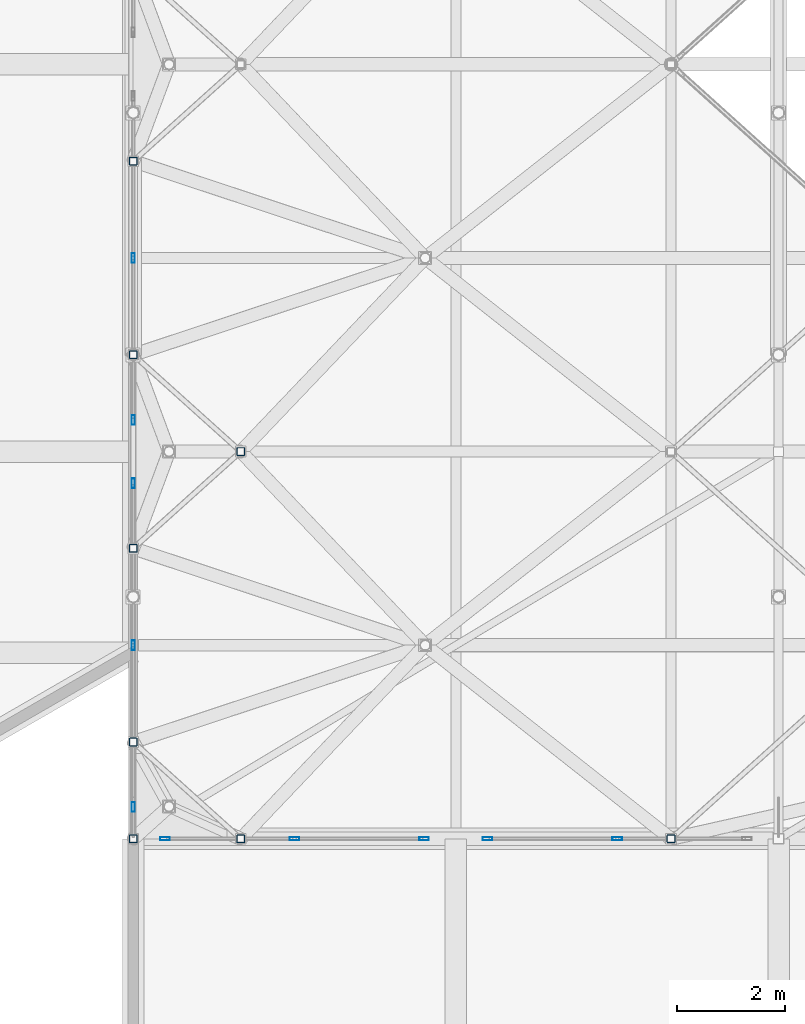
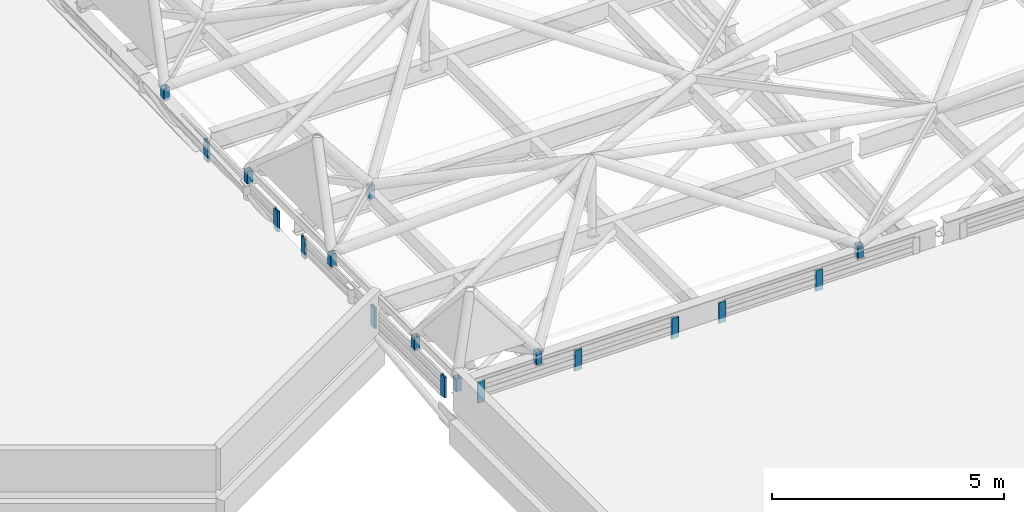
# One storey, part 189 of 239: 18 members, 4 elements without a shape of their own.
"""IFC4 building model written with IfcOpenShell, lengths in metres."""

from ifc_helpers import new_model, si_unit, direction, frame, origin, origin_2d, place, context, subcontext, project, spatial, hollow_rectangle, extrude, material, layer, layer_set, material_profile, profile_set, type_object, element, aggregate, save


model = new_model("IFC4")

# Units and contexts
model_context = context("Model", 3, precision=1e-05, world=origin(), true_north=direction((0.0, 1.0)))
body_context = subcontext(model_context, "Body", "Model", "MODEL_VIEW")
ifc_project = project(units=[si_unit("LENGTHUNIT", "METRE"), si_unit("AREAUNIT", "SQUARE_METRE"), si_unit("VOLUMEUNIT", "CUBIC_METRE"), si_unit("PLANEANGLEUNIT", "RADIAN"), si_unit("MASSUNIT", "GRAM", prefix="KILO")], contexts=[model_context])

# Site, building, storey
site_placement = place(None, origin())
site = spatial("IfcSite", under=ifc_project, at=site_placement, CompositionType="ELEMENT")
building_placement = place(site_placement, origin())
building = spatial("IfcBuilding", under=site, at=building_placement, Name="Dunvalen Ferry Terminal", CompositionType="ELEMENT")
storey_placement = place(building_placement, frame((0.0, 0.0, 9.840087890625)))
storey = spatial("IfcBuildingStorey", under=building, at=storey_placement, Name="L02", CompositionType="ELEMENT", Elevation=9.840087890625)

# Curtain wall, members
ifc_material_1 = material(Name="Anodised marine aluminium and solar-control glazing", Category="aluminium")
ifc_layer_1 = layer(ifc_material_1, 0.219970703125, Name="Anodised marine aluminium and solar-control glazing")
ifc_layer_set_1 = layer_set([ifc_layer_1], Name="Anodised marine aluminium and solar-control glazing")
curtain_wall_type_1 = type_object("IfcCurtainWallType", Name="ENV-CW-SYS-04", PredefinedType="NOTDEFINED", material=ifc_layer_set_1)
curtain_wall_1_placement = place(storey_placement, origin())
curtain_wall_1 = element("IfcCurtainWall", 1, at=curtain_wall_1_placement, inside=storey, type_object=curtain_wall_type_1, Name="L02 Curtain Wall CW-V1W-CLR-01", PredefinedType="NOTDEFINED")
ifc_material_2 = material(Name="Anodised marine aluminium EN AW-6063 T6", Category="aluminium")
ifc_material_profile_1 = material_profile(ifc_material_2, hollow_rectangle(XDim=0.06005859375, YDim=0.179931640625, WallThickness=0.00341796875, InnerFilletRadius=0.00341796875, OuterFilletRadius=0.007080078125, at=origin_2d()), Name="Anodised marine aluminium EN AW-6063 T6")
ifc_profile_set_1 = profile_set([ifc_material_profile_1], Name="Anodised marine aluminium EN AW-6063 T6")
member_type_1 = type_object("IfcMemberType", Name="ENV-CW-MUL-2", PredefinedType="MULLION", material=ifc_profile_set_1)
member_1_placement = place(storey_placement, frame((12.0, 50.989990234375, 0.239990234375), z_axis=(0.0, 0.0, 1.0), x_axis=(-1.0, 0.0, 0.0)))
member_1 = element("IfcMember", 2, at=member_1_placement, type_object=member_type_1, Name="CW-04 mullion 1", PredefinedType="MULLION", context=body_context, shape_type="SweptSolid", body=[
    extrude(hollow_rectangle(XDim=0.06005859375, YDim=0.179931640625, WallThickness=0.00341796875, InnerFilletRadius=0.00341796875, OuterFilletRadius=0.007080078125, at=origin_2d()), origin(), (0.0, 0.0, 1.0), 0.5400390625),
])
member_2_placement = place(storey_placement, frame((12.0, 54.0, 0.239990234375), z_axis=(0.0, 0.0, 1.0), x_axis=(-1.0, 0.0, 0.0)))
member_2 = element("IfcMember", 3, at=member_2_placement, type_object=member_type_1, Name="CW-04 mullion 2", PredefinedType="MULLION", context=body_context, shape_type="SweptSolid", body=[
    extrude(hollow_rectangle(XDim=0.06005859375, YDim=0.179931640625, WallThickness=0.00341796875, InnerFilletRadius=0.00341796875, OuterFilletRadius=0.007080078125, at=origin_2d()), origin(), (0.0, 0.0, 1.0), 0.5400390625),
])
member_3_placement = place(storey_placement, frame((12.0, 57.010009765625, 0.239990234375), z_axis=(0.0, 0.0, 1.0), x_axis=(-1.0, 0.0, 0.0)))
member_3 = element("IfcMember", 4, at=member_3_placement, type_object=member_type_1, Name="CW-04 mullion 3", PredefinedType="MULLION", context=body_context, shape_type="SweptSolid", body=[
    extrude(hollow_rectangle(XDim=0.06005859375, YDim=0.179931640625, WallThickness=0.00341796875, InnerFilletRadius=0.00341796875, OuterFilletRadius=0.007080078125, at=origin_2d()), origin(), (0.0, 0.0, 1.0), 0.5400390625),
])
aggregate(curtain_wall_1, [member_1, member_2, member_3])

curtain_wall_2_placement = place(storey_placement, origin())
curtain_wall_2 = element("IfcCurtainWall", 5, at=curtain_wall_2_placement, inside=storey, type_object=curtain_wall_type_1, Name="L02 Curtain Wall CW-V1W-CLR-02", PredefinedType="NOTDEFINED")
member_4_placement = place(storey_placement, frame((12.0, 58.18994140625, 0.239990234375), z_axis=(0.0, 0.0, 1.0), x_axis=(-1.0, 0.0, 0.0)))
member_4 = element("IfcMember", 6, at=member_4_placement, type_object=member_type_1, Name="CW-04 mullion 1", PredefinedType="MULLION", context=body_context, shape_type="SweptSolid", body=[
    extrude(hollow_rectangle(XDim=0.06005859375, YDim=0.179931640625, WallThickness=0.00341796875, InnerFilletRadius=0.00341796875, OuterFilletRadius=0.007080078125, at=origin_2d()), origin(), (0.0, 0.0, 1.0), 0.5400390625),
])
member_5_placement = place(storey_placement, frame((12.0, 61.199951171875, 0.239990234375), z_axis=(0.0, 0.0, 1.0), x_axis=(-1.0, 0.0, 0.0)))
member_5 = element("IfcMember", 7, at=member_5_placement, type_object=member_type_1, Name="CW-04 mullion 2", PredefinedType="MULLION", context=body_context, shape_type="SweptSolid", body=[
    extrude(hollow_rectangle(XDim=0.06005859375, YDim=0.179931640625, WallThickness=0.00341796875, InnerFilletRadius=0.00341796875, OuterFilletRadius=0.007080078125, at=origin_2d()), origin(), (0.0, 0.0, 1.0), 0.5400390625),
])
aggregate(curtain_wall_2, [member_4, member_5])

ifc_layer_2 = layer(ifc_material_1, 0.219970703125, Name="Anodised marine aluminium and solar-control glazing")
ifc_layer_set_2 = layer_set([ifc_layer_2], Name="Anodised marine aluminium and solar-control glazing")
curtain_wall_type_2 = type_object("IfcCurtainWallType", Name="ENV-CW-SYS-02", PredefinedType="NOTDEFINED", material=ifc_layer_set_2)
curtain_wall_3_placement = place(storey_placement, origin())
curtain_wall_3 = element("IfcCurtainWall", 8, at=curtain_wall_3_placement, inside=storey, type_object=curtain_wall_type_2, Name="L02 Curtain Wall CW-V1SW-CLR-01", PredefinedType="NOTDEFINED")
member_6_placement = place(storey_placement, frame((12.590087890625, 50.39990234375, 0.239990234375), z_axis=(0.0, 0.0, 1.0), x_axis=(0.0, 1.0, 0.0)))
member_6 = element("IfcMember", 9, at=member_6_placement, type_object=member_type_1, Name="CW-02 mullion 1", PredefinedType="MULLION", context=body_context, shape_type="SweptSolid", body=[
    extrude(hollow_rectangle(XDim=0.06005859375, YDim=0.179931640625, WallThickness=0.00341796875, InnerFilletRadius=0.00341796875, OuterFilletRadius=0.007080078125, at=origin_2d()), origin(), (0.0, 0.0, 1.0), 0.5400390625),
])
member_7_placement = place(storey_placement, frame((15.0, 50.39990234375, 0.239990234375), z_axis=(0.0, 0.0, 1.0), x_axis=(0.0, 1.0, 0.0)))
member_7 = element("IfcMember", 10, at=member_7_placement, type_object=member_type_1, Name="CW-02 mullion 2", PredefinedType="MULLION", context=body_context, shape_type="SweptSolid", body=[
    extrude(hollow_rectangle(XDim=0.06005859375, YDim=0.179931640625, WallThickness=0.00341796875, InnerFilletRadius=0.00341796875, OuterFilletRadius=0.007080078125, at=origin_2d()), origin(), (0.0, 0.0, 1.0), 0.5400390625),
])
member_8_placement = place(storey_placement, frame((17.409912109375, 50.39990234375, 0.239990234375), z_axis=(0.0, 0.0, 1.0), x_axis=(0.0, 1.0, 0.0)))
member_8 = element("IfcMember", 11, at=member_8_placement, type_object=member_type_1, Name="CW-02 mullion 3", PredefinedType="MULLION", context=body_context, shape_type="SweptSolid", body=[
    extrude(hollow_rectangle(XDim=0.06005859375, YDim=0.179931640625, WallThickness=0.00341796875, InnerFilletRadius=0.00341796875, OuterFilletRadius=0.007080078125, at=origin_2d()), origin(), (0.0, 0.0, 1.0), 0.5400390625),
])
aggregate(curtain_wall_3, [member_6, member_7, member_8])

curtain_wall_4_placement = place(storey_placement, origin())
curtain_wall_4 = element("IfcCurtainWall", 12, at=curtain_wall_4_placement, inside=storey, type_object=curtain_wall_type_2, Name="L02 Curtain Wall CW-V1SW-CLR-02", PredefinedType="NOTDEFINED")
member_9_placement = place(storey_placement, frame((18.590087890625, 50.39990234375, 0.239990234375), z_axis=(0.0, 0.0, 1.0), x_axis=(0.0, 1.0, 0.0)))
member_9 = element("IfcMember", 13, at=member_9_placement, type_object=member_type_1, Name="CW-02 mullion 1", PredefinedType="MULLION", context=body_context, shape_type="SweptSolid", body=[
    extrude(hollow_rectangle(XDim=0.06005859375, YDim=0.179931640625, WallThickness=0.00341796875, InnerFilletRadius=0.00341796875, OuterFilletRadius=0.007080078125, at=origin_2d()), origin(), (0.0, 0.0, 1.0), 0.5400390625),
])
member_10_placement = place(storey_placement, frame((21.0, 50.39990234375, 0.239990234375), z_axis=(0.0, 0.0, 1.0), x_axis=(0.0, 1.0, 0.0)))
member_10 = element("IfcMember", 14, at=member_10_placement, type_object=member_type_1, Name="CW-02 mullion 2", PredefinedType="MULLION", context=body_context, shape_type="SweptSolid", body=[
    extrude(hollow_rectangle(XDim=0.06005859375, YDim=0.179931640625, WallThickness=0.00341796875, InnerFilletRadius=0.00341796875, OuterFilletRadius=0.007080078125, at=origin_2d()), origin(), (0.0, 0.0, 1.0), 0.5400390625),
])
aggregate(curtain_wall_4, [member_9, member_10])

# Members
ifc_material_3 = material(Name="Steel S355", Category="steel")
ifc_material_profile_2 = material_profile(ifc_material_3, hollow_rectangle(XDim=0.14990234375, YDim=0.14990234375, WallThickness=0.008056640625, InnerFilletRadius=0.008056640625, OuterFilletRadius=0.01611328125, at=origin_2d()), Name="Steel S355")
ifc_profile_set_2 = profile_set([ifc_material_profile_2], Name="Steel S355")
member_type_2 = type_object("IfcMemberType", Name="STR-MB-SHS150", PredefinedType="BRACE", material=ifc_profile_set_2)
for number, where, z_axis, x_axis, name in (
    (15, (12.0, 50.39990234375, 0.77001953125), (0.0, 0.0, 1.0), (1.0, 0.0, 0.0), "HEX-01 Rim Pedestal Strut 1"),
    (16, (14.0, 50.39990234375, 0.77001953125), (0.0, 0.0, 1.0), (1.0, 0.0, 0.0), "HEX-01 Rim Pedestal Strut 2"),
    (17, (12.0, 52.199951171875, 0.77001953125), (0.0, 0.0, 1.0), (1.0, 0.0, 0.0), "HEX-01 Rim Pedestal Strut 3"),
    (18, (12.0, 55.800048828125, 0.77001953125), (0.0, 0.0, 1.0), (1.0, 0.0, 0.0), "HEX-02 Rim Pedestal Strut 1"),
    (19, (14.0, 57.60009765625, 0.77001953125), (0.0, 0.0, 1.0), (1.0, 0.0, 0.0), "HEX-02 Rim Pedestal Strut 2"),
    (20, (12.0, 59.39990234375, 0.77001953125), (0.0, 0.0, 1.0), (1.0, 0.0, 0.0), "HEX-02 Rim Pedestal Strut 3"),
    (21, (12.0, 63.0, 0.77001953125), (0.0, 0.0, 1.0), (1.0, 0.0, 0.0), "HEX-03 Rim Pedestal Strut 1"),
    (22, (22.0, 50.39990234375, 0.77001953125), (0.0, 0.0, 1.0), (1.0, 0.0, 0.0), "HEX-07 Rim Pedestal Strut 4"),
):
    element("IfcMember", number, at=place(storey_placement, frame(where, z_axis=z_axis, x_axis=x_axis)), inside=storey, type_object=member_type_2, Name=name, PredefinedType="BRACE", context=body_context, shape_type="SweptSolid", body=[
        extrude(hollow_rectangle(XDim=0.14990234375, YDim=0.14990234375, WallThickness=0.008056640625, InnerFilletRadius=0.008056640625, OuterFilletRadius=0.01611328125, at=origin_2d()), origin(), (0.0, 0.0, 1.0), 0.329833984375),
    ])

save(model, "model.ifc")
